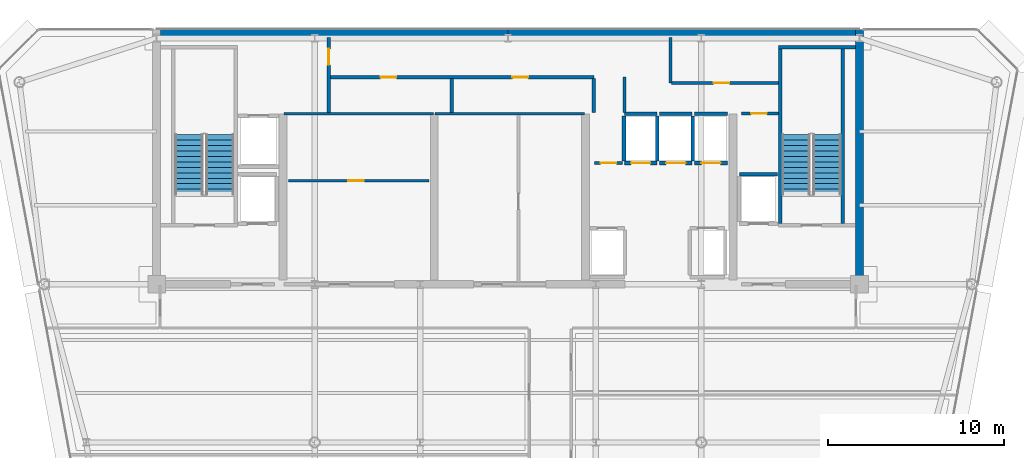
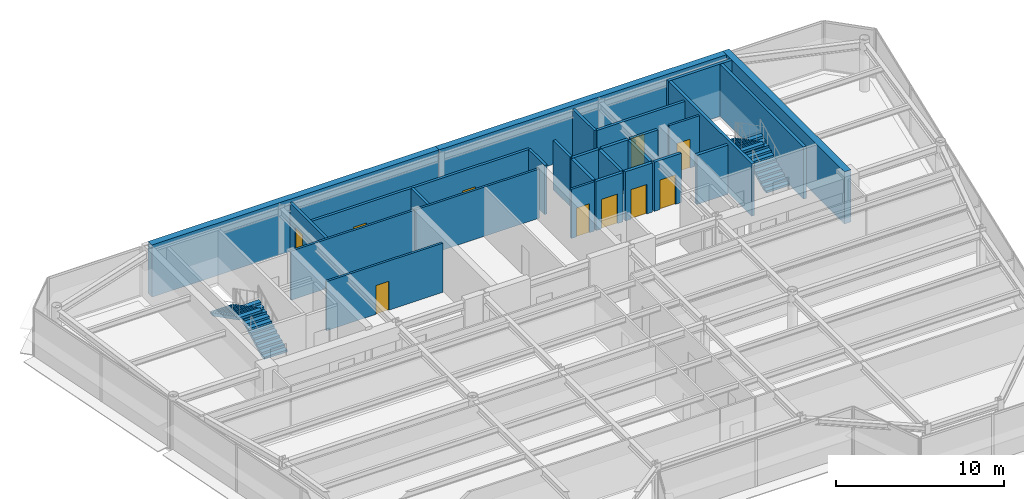
# One storey, part 11 of 18: 28 walls, 10 doors, 4 stair flights, 10 openings, 2 elements without a shape of their own.
"""IFC4 building model written with IfcOpenShell, lengths in metres."""

from ifc_helpers import new_model, si_unit, direction, frame, frame_2d, origin, place, context, subcontext, project, spatial, polyline, rectangle, outline, extrude, source, transform, mapped, material, layer, layer_set, type_object, element, fill, aggregate, save


model = new_model("IFC4")

# Units and contexts
model_context = context("Model", 3, precision=1e-05, world=origin(), true_north=direction((0.0, 1.0)))
body_context = subcontext(model_context, "Body", "Model", "MODEL_VIEW")
ifc_project = project(units=[si_unit("LENGTHUNIT", "METRE"), si_unit("AREAUNIT", "SQUARE_METRE"), si_unit("VOLUMEUNIT", "CUBIC_METRE"), si_unit("PLANEANGLEUNIT", "RADIAN"), si_unit("MASSUNIT", "GRAM", prefix="KILO")], contexts=[model_context])

# Site, building, storey
site_placement = place(None, origin())
site = spatial("IfcSite", under=ifc_project, at=site_placement, CompositionType="ELEMENT")
building_placement = place(site_placement, origin())
building = spatial("IfcBuilding", under=site, at=building_placement, Name="Vaeldorn Concourse Tower", CompositionType="ELEMENT")
storey_placement = place(building_placement, frame((0.0, 0.0, 246.0)))
storey = spatial("IfcBuildingStorey", under=building, at=storey_placement, Name="L63", CompositionType="ELEMENT", Elevation=246.0)

# Walls
ifc_material_1 = material(Name="Concrete C50/60", Category="concrete")
ifc_layer_1 = layer(ifc_material_1, 0.449951171875)
ifc_layer_set_1 = layer_set([ifc_layer_1], Name="Concrete C50/60")
wall_type_1 = type_object("IfcWallType", Name="WL-CORE-450", PredefinedType="SHEAR", material=ifc_layer_set_1)
for number, where, z_axis, x_axis, name in (
    (1, (14.22900390625, 50.77490234375, 0.0), (0.0, 0.0, 1.0), (1.0, 0.0, 0.0), "Rear Core Shear Wall L63 N1"),
    (2, (34.001953125, 50.77490234375, 0.0), (0.0, 0.0, 1.0), (1.0, 0.0, 0.0), "Rear Core Shear Wall L63 N2"),
):
    element("IfcWall", number, at=place(storey_placement, frame(where, z_axis=z_axis, x_axis=x_axis)), inside=storey, type_object=wall_type_1, Name=name, PredefinedType="SHEAR", context=body_context, shape_type="SweptSolid", body=[
        extrude(rectangle(XDim=19.76904296875, YDim=0.449951171875, at=frame_2d((9.884521484375, 0.0))), origin(), (0.0, 0.0, 1.0), 3.800048828125),
    ])
wall_1_placement = place(storey_placement, frame((54.0, 36.5, 0.0), z_axis=(0.0, 0.0, 1.0), x_axis=(0.0, 1.0, 0.0)))
element("IfcWall", 3, at=wall_1_placement, inside=storey, type_object=wall_type_1, Name="Rear Core Shear Wall L63 E1", PredefinedType="SHEAR", context=body_context, shape_type="SweptSolid", body=[
    extrude(rectangle(XDim=14.5, YDim=0.449951171875, at=frame_2d((7.25, 0.0))), origin(), (0.0, 0.0, 1.0), 3.800048828125),
])
ifc_material_2 = material(Name="Gypsum Board Partition", Category="gypsum")
ifc_layer_2 = layer(ifc_material_2, 0.14990234375)
ifc_layer_set_2 = layer_set([ifc_layer_2], Name="Gypsum Board Partition")
wall_type_2 = type_object("IfcWallType", Name="WL-PART-150", PredefinedType="PARTITIONING", material=ifc_layer_set_2)
wall_2_placement = place(storey_placement, frame((21.25, 46.199951171875, 0.0), z_axis=(0.0, 0.0, 1.0), x_axis=(1.0, 0.0, 0.0)))
element("IfcWall", 4, at=wall_2_placement, inside=storey, type_object=wall_type_2, Name="Interior Wall CW-L63-R1N", PredefinedType="PARTITIONING", context=body_context, shape_type="SweptSolid", body=[
    extrude(rectangle(XDim=8.5, YDim=0.14990234375, at=frame_2d((4.25, 0.0))), origin(), (0.0, 0.0, 1.0), 3.580078125),
])

# Wall, opening, door
wall_3_placement = place(storey_placement, frame((21.5, 42.39990234375, 0.0), z_axis=(0.0, 0.0, 1.0), x_axis=(1.0, 0.0, 0.0)))
wall_3 = element("IfcWall", 5, at=wall_3_placement, inside=storey, type_object=wall_type_2, Name="Interior Wall CW-L63-R1M", PredefinedType="PARTITIONING", context=body_context, shape_type="SweptSolid", body=[
    extrude(rectangle(XDim=8.0, YDim=0.14990234375, at=frame_2d((4.0, 0.0))), origin(), (0.0, 0.0, 1.0), 3.580078125),
])
opening_1_placement = place(wall_3_placement, frame((3.39990234375, 0.0, 0.0)))
opening_1 = element("IfcOpeningElement", 6, at=opening_1_placement, cuts=wall_3, Name="Opening D-02", PredefinedType="OPENING", context=body_context, shape_type="SweptSolid", body=[
    extrude(rectangle(XDim=0.89990234375, YDim=2.10009765625, at=frame_2d((0.449951171875, 1.050048828125))), frame((0.0, 0.0849609375, 0.0), z_axis=(0.0, -1.0, 0.0), x_axis=(1.0, 0.0, 0.0)), (0.0, 0.0, 1.0), 0.169921875),
])
ifc_material_3 = material(Name="Fire-Rated Timber Leaf", Category="wood")
door_type_1 = type_object("IfcDoorType", Name="DR-FD30-900", OperationType="NOTDEFINED", PredefinedType="DOOR", material=ifc_material_3)
shared_shape_1 = source(origin(), body_context, "Body", "SweptSolid", [
    extrude(rectangle(XDim=0.89990234375, YDim=2.10009765625, at=frame_2d((0.449951171875, 1.050048828125))), frame((0.0, 0.02490234375, 0.0), z_axis=(0.0, -1.0, 0.0), x_axis=(1.0, 0.0, 0.0)), (0.0, 0.0, 1.0), 0.050048828125),
])
door_1_placement = place(opening_1_placement, origin())
door_1 = element("IfcDoor", 7, at=door_1_placement, inside=storey, type_object=door_type_1, Name="Interior Door DR-L63-R1M", OperationType="SINGLE_SWING_RIGHT", OverallHeight=2.10009765625, OverallWidth=0.89990234375, PredefinedType="DOOR", context=body_context, shape_type="MappedRepresentation", body=[
    mapped(shared_shape_1, transform((0.0, 0.0, 0.0), scale=1.0)),
])
fill(opening_1, door_1)

# Wall
wall_4_placement = place(storey_placement, frame((29.85009765625, 46.199951171875, 0.0), z_axis=(0.0, 0.0, 1.0), x_axis=(1.0, 0.0, 0.0)))
element("IfcWall", 8, at=wall_4_placement, inside=storey, type_object=wall_type_2, Name="Interior Wall CW-L63-R2N", PredefinedType="PARTITIONING", context=body_context, shape_type="SweptSolid", body=[
    extrude(rectangle(XDim=8.5, YDim=0.14990234375, at=frame_2d((4.25, 0.0))), origin(), (0.0, 0.0, 1.0), 3.580078125),
])

# Wall, opening, door
wall_5_placement = place(storey_placement, frame((47.280029296875, 46.219970703125, 0.0), z_axis=(0.0, 0.0, 1.0), x_axis=(1.0, 0.0, 0.0)))
wall_5 = element("IfcWall", 9, at=wall_5_placement, inside=storey, type_object=wall_type_2, Name="Interior Wall CW-L63-CRSE-N", PredefinedType="PARTITIONING", context=body_context, shape_type="SweptSolid", body=[
    extrude(rectangle(XDim=2.099853515625, YDim=0.14990234375, at=frame_2d((1.0498046875, 0.0))), origin(), (0.0, 0.0, 1.0), 3.580078125),
])
opening_2_placement = place(wall_5_placement, frame((0.550048828125, 0.0, 0.0)))
opening_2 = element("IfcOpeningElement", 10, at=opening_2_placement, cuts=wall_5, Name="Opening D-02", PredefinedType="OPENING", context=body_context, shape_type="SweptSolid", body=[
    extrude(rectangle(XDim=0.89990234375, YDim=2.10009765625, at=frame_2d((0.449951171875, 1.050048828125))), frame((0.0, 0.0849609375, 0.0), z_axis=(0.0, -1.0, 0.0), x_axis=(1.0, 0.0, 0.0)), (0.0, 0.0, 1.0), 0.169921875),
])
door_2_placement = place(opening_2_placement, origin())
door_2 = element("IfcDoor", 11, at=door_2_placement, inside=storey, type_object=door_type_1, Name="Interior Door DR-L63-CRSE", OperationType="SINGLE_SWING_RIGHT", OverallHeight=2.10009765625, OverallWidth=0.89990234375, PredefinedType="DOOR", context=body_context, shape_type="MappedRepresentation", body=[
    mapped(shared_shape_1, transform((0.0, 0.0, 0.0), scale=1.0)),
])
fill(opening_2, door_2)

wall_6_placement = place(storey_placement, frame((38.919921875, 43.39990234375, 0.0), z_axis=(0.0, 0.0, 1.0), x_axis=(1.0, 0.0, 0.0)))
wall_6 = element("IfcWall", 12, at=wall_6_placement, inside=storey, type_object=wall_type_2, Name="Interior Wall CW-L63-CCLINK", PredefinedType="PARTITIONING", context=body_context, shape_type="SweptSolid", body=[
    extrude(rectangle(XDim=1.60009765625, YDim=0.14990234375, at=frame_2d((0.800048828125, 0.0))), origin(), (0.0, 0.0, 1.0), 3.580078125),
])
opening_3_placement = place(wall_6_placement, frame((0.35009765625, 0.0, 0.0)))
opening_3 = element("IfcOpeningElement", 13, at=opening_3_placement, cuts=wall_6, Name="Opening D-02", PredefinedType="OPENING", context=body_context, shape_type="SweptSolid", body=[
    extrude(rectangle(XDim=0.89990234375, YDim=2.10009765625, at=frame_2d((0.449951171875, 1.050048828125))), frame((0.0, 0.0849609375, 0.0), z_axis=(0.0, -1.0, 0.0), x_axis=(1.0, 0.0, 0.0)), (0.0, 0.0, 1.0), 0.169921875),
])
door_3_placement = place(opening_3_placement, origin())
door_3 = element("IfcDoor", 14, at=door_3_placement, inside=storey, type_object=door_type_1, Name="Interior Door DR-L63-CCLINK", OperationType="SINGLE_SWING_LEFT", OverallHeight=2.10009765625, OverallWidth=0.89990234375, PredefinedType="DOOR", context=body_context, shape_type="MappedRepresentation", body=[
    mapped(shared_shape_1, transform((0.0, 0.0, 0.0), scale=1.0)),
])
fill(opening_3, door_3)

# Wall, openings, doors
ifc_layer_3 = layer(ifc_material_2, 0.179931640625)
ifc_layer_set_3 = layer_set([ifc_layer_3], Name="Gypsum Board Partition")
wall_type_3 = type_object("IfcWallType", Name="WL-PLUMB-180", PredefinedType="PLUMBINGWALL", material=ifc_layer_set_3)
wall_7_placement = place(storey_placement, frame((23.85009765625, 48.280029296875, 0.0), z_axis=(0.0, 0.0, 1.0), x_axis=(1.0, 0.0, 0.0)))
wall_7 = element("IfcWall", 15, at=wall_7_placement, inside=storey, type_object=wall_type_3, Name="Interior Wall CW-L63-NS2W", PredefinedType="PLUMBINGWALL", context=body_context, shape_type="SweptSolid", body=[
    extrude(rectangle(XDim=15.02978515625, YDim=0.179931640625, at=frame_2d((7.514892578125, 0.0))), origin(), (0.0, 0.0, 1.0), 3.580078125),
])
opening_4_placement = place(wall_7_placement, frame((2.89990234375, 0.0, 0.0)))
opening_4 = element("IfcOpeningElement", 16, at=opening_4_placement, cuts=wall_7, Name="Opening D-03", PredefinedType="OPENING", context=body_context, shape_type="SweptSolid", body=[
    extrude(rectangle(XDim=0.89990234375, YDim=2.14990234375, at=frame_2d((0.449951171875, 1.074951171875))), frame((0.0, 0.10009765625, 0.0), z_axis=(0.0, -1.0, 0.0), x_axis=(1.0, 0.0, 0.0)), (0.0, 0.0, 1.0), 0.199951171875),
])
opening_5_placement = place(wall_7_placement, frame((10.39990234375, 0.0, 0.0)))
opening_5 = element("IfcOpeningElement", 17, at=opening_5_placement, cuts=wall_7, Name="Opening D-03", PredefinedType="OPENING", context=body_context, shape_type="SweptSolid", body=[
    extrude(rectangle(XDim=0.89990234375, YDim=2.14990234375, at=frame_2d((0.449951171875, 1.074951171875))), frame((0.0, 0.10009765625, 0.0), z_axis=(0.0, -1.0, 0.0), x_axis=(1.0, 0.0, 0.0)), (0.0, 0.0, 1.0), 0.199951171875),
])
ifc_material_4 = material(Name="Acoustic Bronze-Framed Glass Door", Category="glass")
door_type_2 = type_object("IfcDoorType", Name="DR-INT-900", OperationType="NOTDEFINED", PredefinedType="DOOR", material=ifc_material_4)
shared_shape_2 = source(origin(), body_context, "Body", "SweptSolid", [
    extrude(rectangle(XDim=0.89990234375, YDim=2.14990234375, at=frame_2d((0.449951171875, 1.074951171875))), frame((0.0, 0.02490234375, 0.0), z_axis=(0.0, -1.0, 0.0), x_axis=(1.0, 0.0, 0.0)), (0.0, 0.0, 1.0), 0.050048828125),
])
door_4_placement = place(opening_4_placement, origin())
door_4 = element("IfcDoor", 18, at=door_4_placement, inside=storey, type_object=door_type_2, Name="Interior Door DR-L63-CS2", OperationType="SINGLE_SWING_RIGHT", OverallHeight=2.14990234375, OverallWidth=0.89990234375, PredefinedType="DOOR", context=body_context, shape_type="MappedRepresentation", body=[
    mapped(shared_shape_2, transform((0.0, 0.0, 0.0), scale=1.0)),
])
fill(opening_4, door_4)
door_5_placement = place(opening_5_placement, origin())
door_5 = element("IfcDoor", 19, at=door_5_placement, inside=storey, type_object=door_type_2, Name="Interior Door DR-L63-CS3", OperationType="SINGLE_SWING_LEFT", OverallHeight=2.14990234375, OverallWidth=0.89990234375, PredefinedType="DOOR", context=body_context, shape_type="MappedRepresentation", body=[
    mapped(shared_shape_2, transform((0.0, 0.0, 0.0), scale=1.0)),
])
fill(opening_5, door_5)

# Wall, opening, door
wall_8_placement = place(storey_placement, frame((23.800048828125, 46.280029296875, 0.0), z_axis=(0.0, 0.0, 1.0), x_axis=(0.0, 1.0, 0.0)))
wall_8 = element("IfcWall", 20, at=wall_8_placement, inside=storey, type_object=wall_type_3, Name="Interior Wall CW-L63-SDIV1", PredefinedType="PLUMBINGWALL", context=body_context, shape_type="SweptSolid", body=[
    extrude(rectangle(XDim=4.25, YDim=0.179931640625, at=frame_2d((2.125, 0.0))), origin(), (0.0, 0.0, 1.0), 3.580078125),
])
opening_6_placement = place(wall_8_placement, frame((2.7099609375, 0.0, 0.0)))
opening_6 = element("IfcOpeningElement", 21, at=opening_6_placement, cuts=wall_8, Name="Opening D-03", PredefinedType="OPENING", context=body_context, shape_type="SweptSolid", body=[
    extrude(rectangle(XDim=0.89990234375, YDim=2.14990234375, at=frame_2d((0.449951171875, 1.074951171875))), frame((0.0, 0.10009765625, 0.0), z_axis=(0.0, -1.0, 0.0), x_axis=(1.0, 0.0, 0.0)), (0.0, 0.0, 1.0), 0.199951171875),
])
door_6_placement = place(opening_6_placement, origin())
door_6 = element("IfcDoor", 22, at=door_6_placement, inside=storey, type_object=door_type_2, Name="Interior Door DR-L63-CS1", OperationType="SINGLE_SWING_LEFT", OverallHeight=2.14990234375, OverallWidth=0.89990234375, PredefinedType="DOOR", context=body_context, shape_type="MappedRepresentation", body=[
    mapped(shared_shape_2, transform((0.0, 0.0, 0.0), scale=1.0)),
])
fill(opening_6, door_6)

# Walls
for number, where, z_axis, x_axis, name in (
    (23, (30.800048828125, 46.280029296875, 0.0), (0.0, 0.0, 1.0), (0.0, 1.0, 0.0), "Interior Wall CW-L63-SDIV2"),
    (24, (38.8798828125, 46.280029296875, 0.0), (0.0, 0.0, 1.0), (0.0, 1.0, 0.0), "Interior Wall CW-L63-SDIV4"),
):
    element("IfcWall", number, at=place(storey_placement, frame(where, z_axis=z_axis, x_axis=x_axis)), inside=storey, type_object=wall_type_3, Name=name, PredefinedType="PLUMBINGWALL", context=body_context, shape_type="SweptSolid", body=[
        extrude(rectangle(XDim=1.93994140625, YDim=0.179931640625, at=frame_2d((0.969970703125, 0.0))), origin(), (0.0, 0.0, 1.0), 3.580078125),
    ])
wall_9_placement = place(storey_placement, frame((40.6201171875, 46.280029296875, 0.0), z_axis=(0.0, 0.0, 1.0), x_axis=(0.0, 1.0, 0.0)))
element("IfcWall", 25, at=wall_9_placement, inside=storey, type_object=wall_type_3, Name="Interior Wall CW-L63-SDIV5", PredefinedType="PLUMBINGWALL", context=body_context, shape_type="SweptSolid", body=[
    extrude(rectangle(XDim=2.0, YDim=0.179931640625, at=frame_2d((1.0, 0.0))), origin(), (0.0, 0.0, 1.0), 3.580078125),
])
wall_10_placement = place(storey_placement, frame((43.25, 47.949951171875, 0.0), z_axis=(0.0, 0.0, 1.0), x_axis=(0.0, 1.0, 0.0)))
element("IfcWall", 26, at=wall_10_placement, inside=storey, type_object=wall_type_3, Name="Interior Wall CW-L63-SDIV6", PredefinedType="PLUMBINGWALL", context=body_context, shape_type="SweptSolid", body=[
    extrude(rectangle(XDim=2.580078125, YDim=0.179931640625, at=frame_2d((1.2900390625, 0.0))), origin(), (0.0, 0.0, 1.0), 3.580078125),
])

# Wall, opening, door
wall_11_placement = place(storey_placement, frame((43.300048828125, 47.949951171875, 0.0), z_axis=(0.0, 0.0, 1.0), x_axis=(1.0, 0.0, 0.0)))
wall_11 = element("IfcWall", 27, at=wall_11_placement, inside=storey, type_object=wall_type_3, Name="Interior Wall CW-L63-NS2EE", PredefinedType="PLUMBINGWALL", context=body_context, shape_type="SweptSolid", body=[
    extrude(rectangle(XDim=6.079833984375, YDim=0.179931640625, at=frame_2d((3.0400390625, 0.0))), origin(), (0.0, 0.0, 1.0), 3.580078125),
])
opening_7_placement = place(wall_11_placement, frame((2.39990234375, 0.0, 0.0)))
opening_7 = element("IfcOpeningElement", 28, at=opening_7_placement, cuts=wall_11, Name="Opening D-03", PredefinedType="OPENING", context=body_context, shape_type="SweptSolid", body=[
    extrude(rectangle(XDim=0.89990234375, YDim=2.14990234375, at=frame_2d((0.449951171875, 1.074951171875))), frame((0.0, 0.10009765625, 0.0), z_axis=(0.0, -1.0, 0.0), x_axis=(1.0, 0.0, 0.0)), (0.0, 0.0, 1.0), 0.199951171875),
])
door_7_placement = place(opening_7_placement, origin())
door_7 = element("IfcDoor", 29, at=door_7_placement, inside=storey, type_object=door_type_2, Name="Interior Door DR-L63-CS5", OperationType="SINGLE_SWING_RIGHT", OverallHeight=2.14990234375, OverallWidth=0.89990234375, PredefinedType="DOOR", context=body_context, shape_type="MappedRepresentation", body=[
    mapped(shared_shape_2, transform((0.0, 0.0, 0.0), scale=1.0)),
])
fill(opening_7, door_7)

# Walls
ifc_layer_4 = layer(ifc_material_1, 0.199951171875)
ifc_layer_set_4 = layer_set([ifc_layer_4], Name="Concrete C50/60")
wall_type_4 = type_object("IfcWallType", Name="WL-SHAFT-200", PredefinedType="SOLIDWALL", material=ifc_layer_set_4)
wall_12_placement = place(storey_placement, frame((49.39990234375, 50.0, 0.0), z_axis=(0.0, 0.0, 1.0), x_axis=(1.0, 0.0, 0.0)))
element("IfcWall", 30, at=wall_12_placement, inside=storey, type_object=wall_type_4, Name="Stair Shaft Wall CW-L63-ST-2-N", PredefinedType="SOLIDWALL", context=body_context, shape_type="SweptSolid", body=[
    extrude(rectangle(XDim=4.375, YDim=0.199951171875, at=frame_2d((2.1875, 0.0))), origin(), (0.0, 0.0, 1.0), 3.800048828125),
])
for number, where, z_axis, x_axis, name in (
    (31, (49.5, 39.9599609375, 0.0), (0.0, 0.0, 1.0), (0.0, 1.0, 0.0), "Stair Shaft Wall CW-L63-ST-2-W"),
    (32, (53.050048828125, 39.9599609375, 0.0), (0.0, 0.0, 1.0), (0.0, 1.0, 0.0), "Stair Shaft Wall CW-L63-ST-2-E"),
):
    element("IfcWall", number, at=place(storey_placement, frame(where, z_axis=z_axis, x_axis=x_axis)), inside=storey, type_object=wall_type_4, Name=name, PredefinedType="SOLIDWALL", context=body_context, shape_type="SweptSolid", body=[
        extrude(rectangle(XDim=9.929931640625, YDim=0.199951171875, at=frame_2d((4.96484375, 0.0))), origin(), (0.0, 0.0, 1.0), 3.800048828125),
    ])

# Wall, opening, door
wall_13_placement = place(storey_placement, frame((40.6201171875, 43.39990234375, 0.0), z_axis=(0.0, 0.0, 1.0), x_axis=(1.0, 0.0, 0.0)))
wall_13 = element("IfcWall", 33, at=wall_13_placement, inside=storey, type_object=wall_type_4, Name="Interior Wall CW-L63-LF-LF-15", PredefinedType="SOLIDWALL", context=body_context, shape_type="SweptSolid", body=[
    extrude(rectangle(XDim=1.85986328125, YDim=0.199951171875, at=frame_2d((0.929931640625, 0.0))), origin(), (0.0, 0.0, 1.0), 3.580078125),
])
opening_8_placement = place(wall_13_placement, frame((0.3798828125, 0.0, 0.0)))
opening_8 = element("IfcOpeningElement", 34, at=opening_8_placement, cuts=wall_13, Name="Opening LD-1", PredefinedType="OPENING", context=body_context, shape_type="SweptSolid", body=[
    extrude(rectangle(XDim=1.10009765625, YDim=2.14990234375, at=frame_2d((0.550048828125, 1.074951171875))), frame((0.0, 0.10986328125, 0.0), z_axis=(0.0, -1.0, 0.0), x_axis=(1.0, 0.0, 0.0)), (0.0, 0.0, 1.0), 0.219970703125),
])
ifc_material_5 = material(Name="Anodised Bronze Aluminium", Category="aluminium")
door_type_3 = type_object("IfcDoorType", Name="DR-LIFT-SLIDE-1100", OperationType="DOUBLE_DOOR_SLIDING", PredefinedType="DOOR", material=ifc_material_5)
shared_shape_3 = source(origin(), body_context, "Body", "SweptSolid", [
    extrude(rectangle(XDim=1.10009765625, YDim=2.14990234375, at=frame_2d((0.550048828125, 1.074951171875))), frame((0.0, 0.02490234375, 0.0), z_axis=(0.0, -1.0, 0.0), x_axis=(1.0, 0.0, 0.0)), (0.0, 0.0, 1.0), 0.050048828125),
])
door_8_placement = place(opening_8_placement, origin())
door_8 = element("IfcDoor", 35, at=door_8_placement, inside=storey, type_object=door_type_3, Name="Lift Landing Door LD-L63-LF-15", OperationType="DOUBLE_DOOR_SLIDING", OverallHeight=2.14990234375, OverallWidth=1.10009765625, PredefinedType="DOOR", context=body_context, shape_type="MappedRepresentation", body=[
    mapped(shared_shape_3, transform((0.0, 0.0, 0.0), scale=1.0)),
])
fill(opening_8, door_8)

# Walls
wall_14_placement = place(storey_placement, frame((40.6201171875, 46.199951171875, 0.0), z_axis=(0.0, 0.0, 1.0), x_axis=(1.0, 0.0, 0.0)))
element("IfcWall", 36, at=wall_14_placement, inside=storey, type_object=wall_type_4, Name="Interior Wall CW-L63-LFB-LF-15", PredefinedType="SOLIDWALL", context=body_context, shape_type="SweptSolid", body=[
    extrude(rectangle(XDim=1.85986328125, YDim=0.199951171875, at=frame_2d((0.929931640625, 0.0))), origin(), (0.0, 0.0, 1.0), 3.580078125),
])
for number, where, z_axis, x_axis, name in (
    (37, (40.60009765625, 43.52001953125, 0.0), (0.0, 0.0, 1.0), (0.0, 1.0, 0.0), "Interior Wall CW-L63-LFW-LF-15"),
    (38, (42.5, 43.52001953125, 0.0), (0.0, 0.0, 1.0), (0.0, 1.0, 0.0), "Interior Wall CW-L63-LFE-LF-15"),
):
    element("IfcWall", number, at=place(storey_placement, frame(where, z_axis=z_axis, x_axis=x_axis)), inside=storey, type_object=wall_type_4, Name=name, PredefinedType="SOLIDWALL", context=body_context, shape_type="SweptSolid", body=[
        extrude(rectangle(XDim=2.56005859375, YDim=0.199951171875, at=frame_2d((1.280029296875, 0.0))), origin(), (0.0, 0.0, 1.0), 3.580078125),
    ])

# Wall, opening, door
wall_15_placement = place(storey_placement, frame((42.6201171875, 43.39990234375, 0.0), z_axis=(0.0, 0.0, 1.0), x_axis=(1.0, 0.0, 0.0)))
wall_15 = element("IfcWall", 39, at=wall_15_placement, inside=storey, type_object=wall_type_4, Name="Interior Wall CW-L63-LF-LF-16", PredefinedType="SOLIDWALL", context=body_context, shape_type="SweptSolid", body=[
    extrude(rectangle(XDim=1.85986328125, YDim=0.199951171875, at=frame_2d((0.929931640625, 0.0))), origin(), (0.0, 0.0, 1.0), 3.580078125),
])
opening_9_placement = place(wall_15_placement, frame((0.3798828125, 0.0, 0.0)))
opening_9 = element("IfcOpeningElement", 40, at=opening_9_placement, cuts=wall_15, Name="Opening LD-1", PredefinedType="OPENING", context=body_context, shape_type="SweptSolid", body=[
    extrude(rectangle(XDim=1.10009765625, YDim=2.14990234375, at=frame_2d((0.550048828125, 1.074951171875))), frame((0.0, 0.10986328125, 0.0), z_axis=(0.0, -1.0, 0.0), x_axis=(1.0, 0.0, 0.0)), (0.0, 0.0, 1.0), 0.219970703125),
])
door_9_placement = place(opening_9_placement, origin())
door_9 = element("IfcDoor", 41, at=door_9_placement, inside=storey, type_object=door_type_3, Name="Lift Landing Door LD-L63-LF-16", OperationType="DOUBLE_DOOR_SLIDING", OverallHeight=2.14990234375, OverallWidth=1.10009765625, PredefinedType="DOOR", context=body_context, shape_type="MappedRepresentation", body=[
    mapped(shared_shape_3, transform((0.0, 0.0, 0.0), scale=1.0)),
])
fill(opening_9, door_9)

# Walls
wall_16_placement = place(storey_placement, frame((42.6201171875, 46.199951171875, 0.0), z_axis=(0.0, 0.0, 1.0), x_axis=(1.0, 0.0, 0.0)))
element("IfcWall", 42, at=wall_16_placement, inside=storey, type_object=wall_type_4, Name="Interior Wall CW-L63-LFB-LF-16", PredefinedType="SOLIDWALL", context=body_context, shape_type="SweptSolid", body=[
    extrude(rectangle(XDim=1.85986328125, YDim=0.199951171875, at=frame_2d((0.929931640625, 0.0))), origin(), (0.0, 0.0, 1.0), 3.580078125),
])
wall_17_placement = place(storey_placement, frame((44.5, 43.52001953125, 0.0), z_axis=(0.0, 0.0, 1.0), x_axis=(0.0, 1.0, 0.0)))
element("IfcWall", 43, at=wall_17_placement, inside=storey, type_object=wall_type_4, Name="Interior Wall CW-L63-LFE-LF-16", PredefinedType="SOLIDWALL", context=body_context, shape_type="SweptSolid", body=[
    extrude(rectangle(XDim=2.56005859375, YDim=0.199951171875, at=frame_2d((1.280029296875, 0.0))), origin(), (0.0, 0.0, 1.0), 3.580078125),
])

# Wall, opening, door
wall_18_placement = place(storey_placement, frame((44.6201171875, 43.39990234375, 0.0), z_axis=(0.0, 0.0, 1.0), x_axis=(1.0, 0.0, 0.0)))
wall_18 = element("IfcWall", 44, at=wall_18_placement, inside=storey, type_object=wall_type_4, Name="Interior Wall CW-L63-LF-LF-17", PredefinedType="SOLIDWALL", context=body_context, shape_type="SweptSolid", body=[
    extrude(rectangle(XDim=1.85986328125, YDim=0.199951171875, at=frame_2d((0.929931640625, 0.0))), origin(), (0.0, 0.0, 1.0), 3.580078125),
])
opening_10_placement = place(wall_18_placement, frame((0.3798828125, 0.0, 0.0)))
opening_10 = element("IfcOpeningElement", 45, at=opening_10_placement, cuts=wall_18, Name="Opening LD-1", PredefinedType="OPENING", context=body_context, shape_type="SweptSolid", body=[
    extrude(rectangle(XDim=1.10009765625, YDim=2.14990234375, at=frame_2d((0.550048828125, 1.074951171875))), frame((0.0, 0.10986328125, 0.0), z_axis=(0.0, -1.0, 0.0), x_axis=(1.0, 0.0, 0.0)), (0.0, 0.0, 1.0), 0.219970703125),
])
door_10_placement = place(opening_10_placement, origin())
door_10 = element("IfcDoor", 46, at=door_10_placement, inside=storey, type_object=door_type_3, Name="Lift Landing Door LD-L63-LF-17", OperationType="DOUBLE_DOOR_SLIDING", OverallHeight=2.14990234375, OverallWidth=1.10009765625, PredefinedType="DOOR", context=body_context, shape_type="MappedRepresentation", body=[
    mapped(shared_shape_3, transform((0.0, 0.0, 0.0), scale=1.0)),
])
fill(opening_10, door_10)

# Walls
wall_19_placement = place(storey_placement, frame((44.6201171875, 46.199951171875, 0.0), z_axis=(0.0, 0.0, 1.0), x_axis=(1.0, 0.0, 0.0)))
element("IfcWall", 47, at=wall_19_placement, inside=storey, type_object=wall_type_4, Name="Interior Wall CW-L63-LFB-LF-17", PredefinedType="SOLIDWALL", context=body_context, shape_type="SweptSolid", body=[
    extrude(rectangle(XDim=1.85986328125, YDim=0.199951171875, at=frame_2d((0.929931640625, 0.0))), origin(), (0.0, 0.0, 1.0), 3.580078125),
])
wall_20_placement = place(storey_placement, frame((47.169921875, 42.75, 0.0), z_axis=(0.0, 0.0, 1.0), x_axis=(1.0, 0.0, 0.0)))
element("IfcWall", 48, at=wall_20_placement, inside=storey, type_object=wall_type_4, Name="Interior Wall CW-L63-LFB-LF-FF2", PredefinedType="SOLIDWALL", context=body_context, shape_type="SweptSolid", body=[
    extrude(rectangle(XDim=2.16015625, YDim=0.199951171875, at=frame_2d((1.080078125, 0.0))), origin(), (0.0, 0.0, 1.0), 3.580078125),
])

# Stair, stair flights
ifc_material_6 = material(Name="Precast concrete C40/50", Category="concrete")
stair_type = type_object("IfcStairType", Name="STR-DOG-24x158", PredefinedType="HALF_TURN_STAIR", material=ifc_material_6)
stair_1_placement = place(storey_placement, origin())
stair_1 = element("IfcStair", 49, at=stair_1_placement, inside=storey, type_object=stair_type, Name="L63 West Core Exit Stair ST-1", PredefinedType="HALF_TURN_STAIR")
stair_flight_type = type_object("IfcStairFlightType", Name="STF-STR-12x158", PredefinedType="STRAIGHT", material=ifc_material_6)
stair_flight_1_placement = place(storey_placement, frame((17.60009765625, 41.60009765625, 0.0), z_axis=(0.0, 0.0, 1.0), x_axis=(0.0, 1.0, 0.0)))
stair_flight_1 = element("IfcStairFlight", 50, at=stair_flight_1_placement, type_object=stair_flight_type, Name="ST-1 flight 1", NumberOfRisers=12, NumberOfTreads=11, PredefinedType="STRAIGHT", RiserHeight=0.158333333, TreadLength=0.31, context=body_context, shape_type="SweptSolid", body=[
    extrude(outline(polyline([(0.0, 0.0), (0.0, 0.158447265625), (0.31005859375, 0.158447265625), (0.31005859375, 0.316650390625), (0.6201171875, 0.316650390625), (0.6201171875, 0.47509765625), (0.929931640625, 0.47509765625), (0.929931640625, 0.63330078125), (1.239990234375, 0.63330078125), (1.239990234375, 0.791748046875), (1.550048828125, 0.791748046875), (1.550048828125, 0.949951171875), (1.860107421875, 0.949951171875), (1.860107421875, 1.1083984375), (2.169921875, 1.1083984375), (2.169921875, 1.2666015625), (2.47998046875, 1.2666015625), (2.47998046875, 1.425048828125), (2.7900390625, 1.425048828125), (2.7900390625, 1.583251953125), (3.10009765625, 1.583251953125), (3.10009765625, 1.74169921875), (3.409912109375, 1.74169921875), (3.409912109375, 1.89990234375), (3.409912109375, 1.5732421875), (0.32958984375, 0.0), (0.0, 0.0)])), frame((0.0, 0.800048828125, 0.0), z_axis=(0.0, -1.0, 0.0), x_axis=(1.0, 0.0, 0.0)), (0.0, 0.0, 1.0), 1.60009765625),
])
stair_flight_2_placement = place(storey_placement, frame((15.85009765625, 45.010009765625, 1.89990234375), z_axis=(0.0, 0.0, 1.0), x_axis=(0.0, -1.0, 0.0)))
stair_flight_2 = element("IfcStairFlight", 51, at=stair_flight_2_placement, type_object=stair_flight_type, Name="ST-1 flight 2", NumberOfRisers=12, NumberOfTreads=11, PredefinedType="STRAIGHT", RiserHeight=0.158333333, TreadLength=0.31, context=body_context, shape_type="SweptSolid", body=[
    extrude(outline(polyline([(0.0, 0.0), (0.0, 0.158447265625), (0.31005859375, 0.158447265625), (0.31005859375, 0.316650390625), (0.6201171875, 0.316650390625), (0.6201171875, 0.47509765625), (0.929931640625, 0.47509765625), (0.929931640625, 0.63330078125), (1.239990234375, 0.63330078125), (1.239990234375, 0.791748046875), (1.550048828125, 0.791748046875), (1.550048828125, 0.949951171875), (1.860107421875, 0.949951171875), (1.860107421875, 1.1083984375), (2.169921875, 1.1083984375), (2.169921875, 1.2666015625), (2.47998046875, 1.2666015625), (2.47998046875, 1.425048828125), (2.7900390625, 1.425048828125), (2.7900390625, 1.583251953125), (3.10009765625, 1.583251953125), (3.10009765625, 1.74169921875), (3.409912109375, 1.74169921875), (3.409912109375, 1.89990234375), (3.409912109375, 1.5732421875), (0.32958984375, 0.0), (0.0, 0.0)])), frame((0.0, 0.800048828125, 0.0), z_axis=(0.0, -1.0, 0.0), x_axis=(1.0, 0.0, 0.0)), (0.0, 0.0, 1.0), 1.60009765625),
])
aggregate(stair_1, [stair_flight_1, stair_flight_2])

stair_2_placement = place(storey_placement, origin())
stair_2 = element("IfcStair", 52, at=stair_2_placement, inside=storey, type_object=stair_type, Name="L63 East Core Exit Stair ST-2", PredefinedType="HALF_TURN_STAIR")
stair_flight_3_placement = place(storey_placement, frame((52.14990234375, 41.60009765625, 0.0), z_axis=(0.0, 0.0, 1.0), x_axis=(0.0, 1.0, 0.0)))
stair_flight_3 = element("IfcStairFlight", 53, at=stair_flight_3_placement, type_object=stair_flight_type, Name="ST-2 flight 1", NumberOfRisers=12, NumberOfTreads=11, PredefinedType="STRAIGHT", RiserHeight=0.158333333, TreadLength=0.31, context=body_context, shape_type="SweptSolid", body=[
    extrude(outline(polyline([(0.0, 0.0), (0.0, 0.158447265625), (0.31005859375, 0.158447265625), (0.31005859375, 0.316650390625), (0.6201171875, 0.316650390625), (0.6201171875, 0.47509765625), (0.929931640625, 0.47509765625), (0.929931640625, 0.63330078125), (1.239990234375, 0.63330078125), (1.239990234375, 0.791748046875), (1.550048828125, 0.791748046875), (1.550048828125, 0.949951171875), (1.860107421875, 0.949951171875), (1.860107421875, 1.1083984375), (2.169921875, 1.1083984375), (2.169921875, 1.2666015625), (2.47998046875, 1.2666015625), (2.47998046875, 1.425048828125), (2.7900390625, 1.425048828125), (2.7900390625, 1.583251953125), (3.10009765625, 1.583251953125), (3.10009765625, 1.74169921875), (3.409912109375, 1.74169921875), (3.409912109375, 1.89990234375), (3.409912109375, 1.5732421875), (0.32958984375, 0.0), (0.0, 0.0)])), frame((0.0, 0.800048828125, 0.0), z_axis=(0.0, -1.0, 0.0), x_axis=(1.0, 0.0, 0.0)), (0.0, 0.0, 1.0), 1.60009765625),
])
stair_flight_4_placement = place(storey_placement, frame((50.39990234375, 45.010009765625, 1.89990234375), z_axis=(0.0, 0.0, 1.0), x_axis=(0.0, -1.0, 0.0)))
stair_flight_4 = element("IfcStairFlight", 54, at=stair_flight_4_placement, type_object=stair_flight_type, Name="ST-2 flight 2", NumberOfRisers=12, NumberOfTreads=11, PredefinedType="STRAIGHT", RiserHeight=0.158333333, TreadLength=0.31, context=body_context, shape_type="SweptSolid", body=[
    extrude(outline(polyline([(0.0, 0.0), (0.0, 0.158447265625), (0.31005859375, 0.158447265625), (0.31005859375, 0.316650390625), (0.6201171875, 0.316650390625), (0.6201171875, 0.47509765625), (0.929931640625, 0.47509765625), (0.929931640625, 0.63330078125), (1.239990234375, 0.63330078125), (1.239990234375, 0.791748046875), (1.550048828125, 0.791748046875), (1.550048828125, 0.949951171875), (1.860107421875, 0.949951171875), (1.860107421875, 1.1083984375), (2.169921875, 1.1083984375), (2.169921875, 1.2666015625), (2.47998046875, 1.2666015625), (2.47998046875, 1.425048828125), (2.7900390625, 1.425048828125), (2.7900390625, 1.583251953125), (3.10009765625, 1.583251953125), (3.10009765625, 1.74169921875), (3.409912109375, 1.74169921875), (3.409912109375, 1.89990234375), (3.409912109375, 1.5732421875), (0.32958984375, 0.0), (0.0, 0.0)])), frame((0.0, 0.800048828125, 0.0), z_axis=(0.0, -1.0, 0.0), x_axis=(1.0, 0.0, 0.0)), (0.0, 0.0, 1.0), 1.60009765625),
])
aggregate(stair_2, [stair_flight_3, stair_flight_4])

save(model, "model.ifc")
